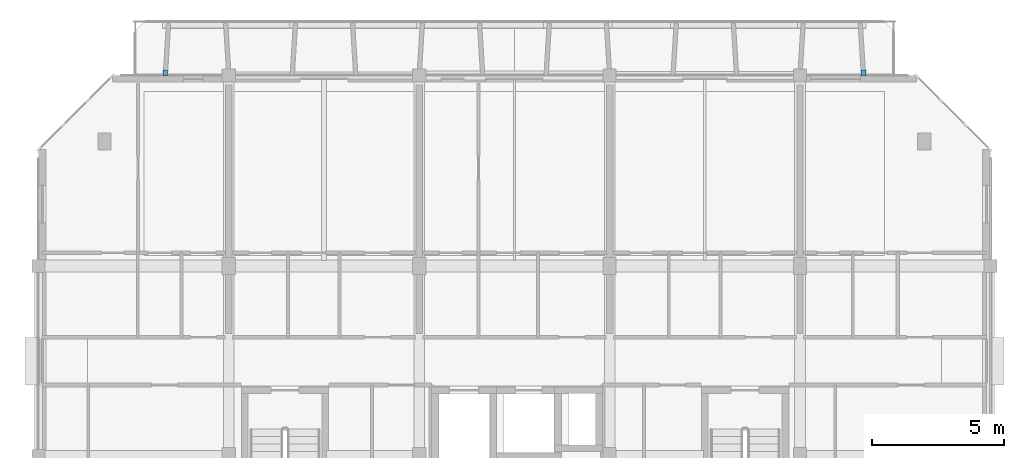
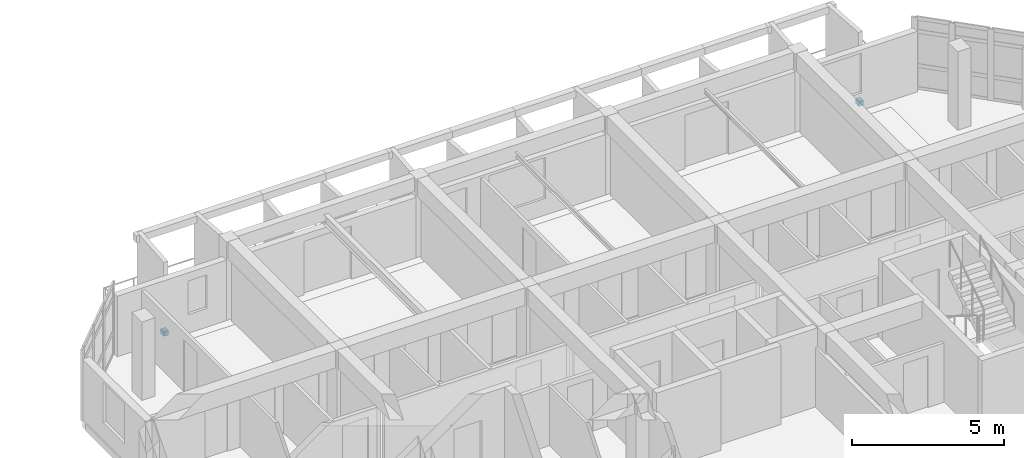
# One storey, part 33 of 44: 2 discrete accessories.
"""IFC4 building model written with IfcOpenShell, lengths in metres."""

from ifc_helpers import new_model, si_unit, direction, frame, origin, origin_2d, place, context, subcontext, project, spatial, rectangle, extrude, material, type_object, element, save


model = new_model("IFC4")

# Units and contexts
model_context = context("Model", 3, precision=1e-05, world=origin(), true_north=direction((0.0, 1.0)))
body_context = subcontext(model_context, "Body", "Model", "MODEL_VIEW")
ifc_project = project(units=[si_unit("LENGTHUNIT", "METRE"), si_unit("AREAUNIT", "SQUARE_METRE"), si_unit("VOLUMEUNIT", "CUBIC_METRE"), si_unit("PLANEANGLEUNIT", "RADIAN"), si_unit("MASSUNIT", "GRAM", prefix="KILO")], contexts=[model_context])

# Site, building, storey
site_placement = place(None, origin())
site = spatial("IfcSite", under=ifc_project, at=site_placement, CompositionType="ELEMENT")
building_placement = place(site_placement, origin())
building = spatial("IfcBuilding", under=site, at=building_placement, Name="Ochrevale Crest", CompositionType="ELEMENT")
storey_placement = place(building_placement, frame((0.0, 0.0, 21.300048828125)))
storey = spatial("IfcBuildingStorey", under=building, at=storey_placement, Name="L06", CompositionType="ELEMENT", Elevation=21.300048828125)

# Discrete accessories
ifc_material = material(Name="Galvanised steel", Category="steel")
discrete_accessory_type = type_object("IfcDiscreteAccessoryType", Name="ACC-BRK-HC", PredefinedType="BRACKET", material=ifc_material)
for number, where, z_axis, x_axis, name in (
    (1, (134.39990234375, 93.699951171875, 0.0), (0.0, 0.0, 1.0), (1.0, 0.0, 0.0), "Block D L06 precast loggia corbel bracket"),
    (2, (160.800048828125, 93.699951171875, 0.0), (0.0, 0.0, 1.0), (1.0, 0.0, 0.0), "Block D L06 precast loggia corbel bracket"),
):
    element("IfcDiscreteAccessory", number, at=place(storey_placement, frame(where, z_axis=z_axis, x_axis=x_axis)), inside=storey, type_object=discrete_accessory_type, Name=name, PredefinedType="BRACKET", context=body_context, shape_type="SweptSolid", body=[
        extrude(rectangle(XDim=0.179931640625, YDim=0.219970703125, at=origin_2d()), origin(), (0.0, 0.0, 1.0), 0.179931640625),
    ])

save(model, "model.ifc")
